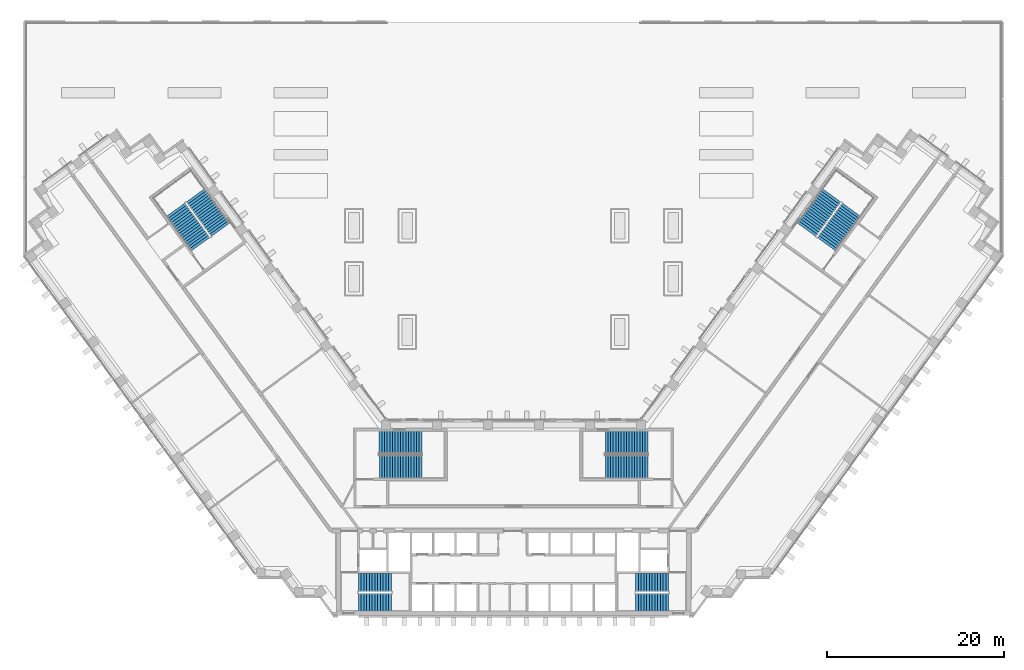
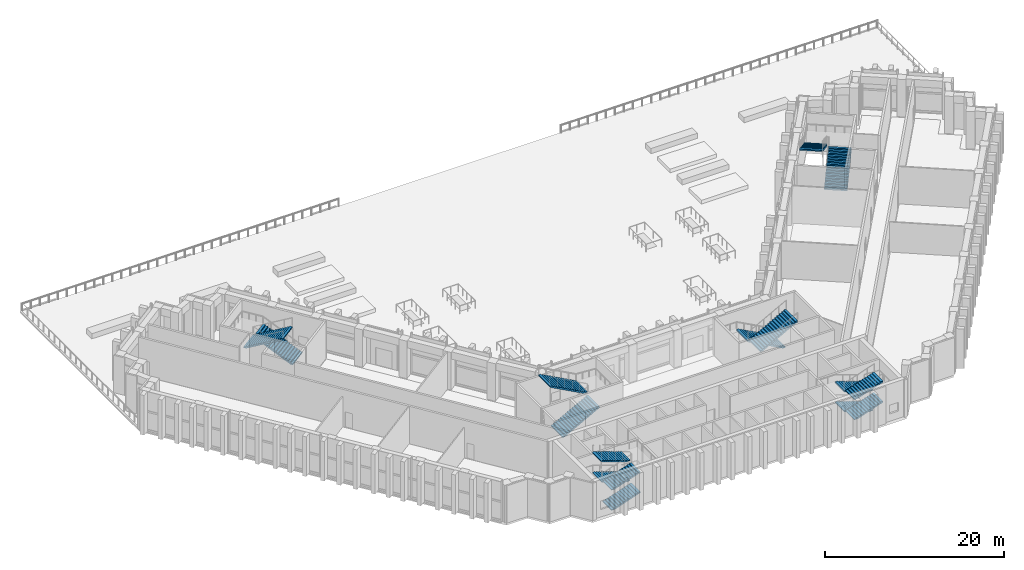
# One storey, part 20 of 25: 16 stair flights, 6 elements without a shape of their own.
"""IFC4 building model written with IfcOpenShell, lengths in metres."""

from ifc_helpers import new_model, si_unit, direction, frame, origin, place, context, subcontext, project, spatial, polyline, outline, extrude, material, type_object, element, aggregate, save


model = new_model("IFC4")

# Units and contexts
model_context = context("Model", 3, precision=1e-05, world=origin(), true_north=direction((0.0, 1.0)))
body_context = subcontext(model_context, "Body", "Model", "MODEL_VIEW")
ifc_project = project(units=[si_unit("LENGTHUNIT", "METRE"), si_unit("AREAUNIT", "SQUARE_METRE"), si_unit("VOLUMEUNIT", "CUBIC_METRE"), si_unit("PLANEANGLEUNIT", "RADIAN"), si_unit("MASSUNIT", "GRAM", prefix="KILO")], contexts=[model_context])

# Site, building, storey
site_placement = place(None, origin())
site = spatial("IfcSite", under=ifc_project, at=site_placement, CompositionType="ELEMENT")
building_placement = place(site_placement, origin())
building = spatial("IfcBuilding", under=site, at=building_placement, Name="Quipu Civic Tower", CompositionType="ELEMENT")
storey_placement = place(building_placement, frame((0.0, 0.0, 6.0)))
storey = spatial("IfcBuildingStorey", under=building, at=storey_placement, Name="L01", CompositionType="ELEMENT", Elevation=6.0)

# Stair, stair flights
ifc_material_1 = material(Name="Concrete C40/50", Category="concrete")
stair_type_1 = type_object("IfcStairType", Name="Half turn stair 2000", PredefinedType="HALF_TURN_STAIR", material=ifc_material_1)
stair_1_placement = place(storey_placement, origin())
stair_1 = element("IfcStair", 1, at=stair_1_placement, inside=storey, type_object=stair_type_1, Name="Exit stair 1", PredefinedType="HALF_TURN_STAIR")
ifc_material_2 = material(Name="Concrete C40/50", Category="concrete")
stair_flight_type_1 = type_object("IfcStairFlightType", Name="Stair flight 2000", PredefinedType="STRAIGHT", material=ifc_material_2)
stair_flight_1_placement = place(storey_placement, frame((-17.5, -9.5, 0.0), z_axis=(0.0, 0.0, 1.0), x_axis=(1.0, 0.0, 0.0)))
stair_flight_1 = element("IfcStairFlight", 2, at=stair_flight_1_placement, type_object=stair_flight_type_1, Name="ST-1 flight 1", NumberOfRisers=13, NumberOfTreads=12, PredefinedType="STRAIGHT", RiserHeight=0.105769231, TreadLength=0.31, context=body_context, shape_type="SweptSolid", body=[
    extrude(outline(polyline([(0.0, 0.0), (0.0, 0.105712890625), (0.31005859375, 0.105712890625), (0.31005859375, 0.21142578125), (0.6201171875, 0.21142578125), (0.6201171875, 0.3173828125), (0.929931640625, 0.3173828125), (0.929931640625, 0.423095703125), (1.239990234375, 0.423095703125), (1.239990234375, 0.52880859375), (1.550048828125, 0.52880859375), (1.550048828125, 0.634521484375), (1.860107421875, 0.634521484375), (1.860107421875, 0.740478515625), (2.169921875, 0.740478515625), (2.169921875, 0.84619140625), (2.47998046875, 0.84619140625), (2.47998046875, 0.951904296875), (2.7900390625, 0.951904296875), (2.7900390625, 1.0576171875), (3.10009765625, 1.0576171875), (3.10009765625, 1.16357421875), (3.409912109375, 1.16357421875), (3.409912109375, 1.269287109375), (3.719970703125, 1.269287109375), (3.719970703125, 1.375), (3.719970703125, 1.11083984375), (0.464111328125, 0.0), (0.0, 0.0)])), frame((0.0, 1.0, 0.0), z_axis=(0.0, -1.0, 0.0), x_axis=(1.0, 0.0, 0.0)), (0.0, 0.0, 1.0), 2.0),
])
stair_flight_2_placement = place(storey_placement, frame((-13.780029296875, -7.25, 1.375), z_axis=(0.0, 0.0, 1.0), x_axis=(-1.0, 0.0, 0.0)))
stair_flight_2 = element("IfcStairFlight", 3, at=stair_flight_2_placement, type_object=stair_flight_type_1, Name="ST-1 flight 2", NumberOfRisers=13, NumberOfTreads=12, PredefinedType="STRAIGHT", RiserHeight=0.105769231, TreadLength=0.31, context=body_context, shape_type="SweptSolid", body=[
    extrude(outline(polyline([(0.0, 0.0), (0.0, 0.105712890625), (0.31005859375, 0.105712890625), (0.31005859375, 0.21142578125), (0.6201171875, 0.21142578125), (0.6201171875, 0.3173828125), (0.929931640625, 0.3173828125), (0.929931640625, 0.423095703125), (1.239990234375, 0.423095703125), (1.239990234375, 0.52880859375), (1.550048828125, 0.52880859375), (1.550048828125, 0.634521484375), (1.860107421875, 0.634521484375), (1.860107421875, 0.740478515625), (2.169921875, 0.740478515625), (2.169921875, 0.84619140625), (2.47998046875, 0.84619140625), (2.47998046875, 0.951904296875), (2.7900390625, 0.951904296875), (2.7900390625, 1.0576171875), (3.10009765625, 1.0576171875), (3.10009765625, 1.16357421875), (3.409912109375, 1.16357421875), (3.409912109375, 1.269287109375), (3.719970703125, 1.269287109375), (3.719970703125, 1.375), (3.719970703125, 1.11083984375), (0.464111328125, 0.0), (0.0, 0.0)])), frame((0.0, 1.0, 0.0), z_axis=(0.0, -1.0, 0.0), x_axis=(1.0, 0.0, 0.0)), (0.0, 0.0, 1.0), 2.0),
])
stair_flight_3_placement = place(storey_placement, frame((-17.5, -9.5, 2.75), z_axis=(0.0, 0.0, 1.0), x_axis=(1.0, 0.0, 0.0)))
stair_flight_3 = element("IfcStairFlight", 4, at=stair_flight_3_placement, type_object=stair_flight_type_1, Name="ST-1 flight 3", NumberOfRisers=13, NumberOfTreads=12, PredefinedType="STRAIGHT", RiserHeight=0.105769231, TreadLength=0.31, context=body_context, shape_type="SweptSolid", body=[
    extrude(outline(polyline([(0.0, 0.0), (0.0, 0.105712890625), (0.31005859375, 0.105712890625), (0.31005859375, 0.21142578125), (0.6201171875, 0.21142578125), (0.6201171875, 0.3173828125), (0.929931640625, 0.3173828125), (0.929931640625, 0.423095703125), (1.239990234375, 0.423095703125), (1.239990234375, 0.52880859375), (1.550048828125, 0.52880859375), (1.550048828125, 0.634521484375), (1.860107421875, 0.634521484375), (1.860107421875, 0.740478515625), (2.169921875, 0.740478515625), (2.169921875, 0.84619140625), (2.47998046875, 0.84619140625), (2.47998046875, 0.951904296875), (2.7900390625, 0.951904296875), (2.7900390625, 1.0576171875), (3.10009765625, 1.0576171875), (3.10009765625, 1.16357421875), (3.409912109375, 1.16357421875), (3.409912109375, 1.269287109375), (3.719970703125, 1.269287109375), (3.719970703125, 1.375), (3.719970703125, 1.11083984375), (0.464111328125, 0.0), (0.0, 0.0)])), frame((0.0, 1.0, 0.0), z_axis=(0.0, -1.0, 0.0), x_axis=(1.0, 0.0, 0.0)), (0.0, 0.0, 1.0), 2.0),
])
stair_flight_4_placement = place(storey_placement, frame((-13.780029296875, -7.25, 4.125), z_axis=(0.0, 0.0, 1.0), x_axis=(-1.0, 0.0, 0.0)))
stair_flight_4 = element("IfcStairFlight", 5, at=stair_flight_4_placement, type_object=stair_flight_type_1, Name="ST-1 flight 4", NumberOfRisers=13, NumberOfTreads=12, PredefinedType="STRAIGHT", RiserHeight=0.105769231, TreadLength=0.31, context=body_context, shape_type="SweptSolid", body=[
    extrude(outline(polyline([(0.0, 0.0), (0.0, 0.105712890625), (0.31005859375, 0.105712890625), (0.31005859375, 0.21142578125), (0.6201171875, 0.21142578125), (0.6201171875, 0.3173828125), (0.929931640625, 0.3173828125), (0.929931640625, 0.423095703125), (1.239990234375, 0.423095703125), (1.239990234375, 0.52880859375), (1.550048828125, 0.52880859375), (1.550048828125, 0.634521484375), (1.860107421875, 0.634521484375), (1.860107421875, 0.740478515625), (2.169921875, 0.740478515625), (2.169921875, 0.84619140625), (2.47998046875, 0.84619140625), (2.47998046875, 0.951904296875), (2.7900390625, 0.951904296875), (2.7900390625, 1.0576171875), (3.10009765625, 1.0576171875), (3.10009765625, 1.16357421875), (3.409912109375, 1.16357421875), (3.409912109375, 1.269287109375), (3.719970703125, 1.269287109375), (3.719970703125, 1.375), (3.719970703125, 1.11083984375), (0.464111328125, 0.0), (0.0, 0.0)])), frame((0.0, 1.0, 0.0), z_axis=(0.0, -1.0, 0.0), x_axis=(1.0, 0.0, 0.0)), (0.0, 0.0, 1.0), 2.0),
])
aggregate(stair_1, [stair_flight_1, stair_flight_2, stair_flight_3, stair_flight_4])

stair_2_placement = place(storey_placement, origin())
stair_2 = element("IfcStair", 6, at=stair_2_placement, inside=storey, type_object=stair_type_1, Name="Exit stair 2", PredefinedType="HALF_TURN_STAIR")
stair_flight_5_placement = place(storey_placement, frame((17.5, -7.25, 0.0), z_axis=(0.0, 0.0, 1.0), x_axis=(-1.0, 0.0, 0.0)))
stair_flight_5 = element("IfcStairFlight", 7, at=stair_flight_5_placement, type_object=stair_flight_type_1, Name="ST-2 flight 1", NumberOfRisers=13, NumberOfTreads=12, PredefinedType="STRAIGHT", RiserHeight=0.105769231, TreadLength=0.31, context=body_context, shape_type="SweptSolid", body=[
    extrude(outline(polyline([(0.0, 0.0), (0.0, 0.105712890625), (0.31005859375, 0.105712890625), (0.31005859375, 0.21142578125), (0.6201171875, 0.21142578125), (0.6201171875, 0.3173828125), (0.929931640625, 0.3173828125), (0.929931640625, 0.423095703125), (1.239990234375, 0.423095703125), (1.239990234375, 0.52880859375), (1.550048828125, 0.52880859375), (1.550048828125, 0.634521484375), (1.860107421875, 0.634521484375), (1.860107421875, 0.740478515625), (2.169921875, 0.740478515625), (2.169921875, 0.84619140625), (2.47998046875, 0.84619140625), (2.47998046875, 0.951904296875), (2.7900390625, 0.951904296875), (2.7900390625, 1.0576171875), (3.10009765625, 1.0576171875), (3.10009765625, 1.16357421875), (3.409912109375, 1.16357421875), (3.409912109375, 1.269287109375), (3.719970703125, 1.269287109375), (3.719970703125, 1.375), (3.719970703125, 1.11083984375), (0.464111328125, 0.0), (0.0, 0.0)])), frame((0.0, 1.0, 0.0), z_axis=(0.0, -1.0, 0.0), x_axis=(1.0, 0.0, 0.0)), (0.0, 0.0, 1.0), 2.0),
])
stair_flight_6_placement = place(storey_placement, frame((13.780029296875, -9.5, 1.375), z_axis=(0.0, 0.0, 1.0), x_axis=(1.0, 0.0, 0.0)))
stair_flight_6 = element("IfcStairFlight", 8, at=stair_flight_6_placement, type_object=stair_flight_type_1, Name="ST-2 flight 2", NumberOfRisers=13, NumberOfTreads=12, PredefinedType="STRAIGHT", RiserHeight=0.105769231, TreadLength=0.31, context=body_context, shape_type="SweptSolid", body=[
    extrude(outline(polyline([(0.0, 0.0), (0.0, 0.105712890625), (0.31005859375, 0.105712890625), (0.31005859375, 0.21142578125), (0.6201171875, 0.21142578125), (0.6201171875, 0.3173828125), (0.929931640625, 0.3173828125), (0.929931640625, 0.423095703125), (1.239990234375, 0.423095703125), (1.239990234375, 0.52880859375), (1.550048828125, 0.52880859375), (1.550048828125, 0.634521484375), (1.860107421875, 0.634521484375), (1.860107421875, 0.740478515625), (2.169921875, 0.740478515625), (2.169921875, 0.84619140625), (2.47998046875, 0.84619140625), (2.47998046875, 0.951904296875), (2.7900390625, 0.951904296875), (2.7900390625, 1.0576171875), (3.10009765625, 1.0576171875), (3.10009765625, 1.16357421875), (3.409912109375, 1.16357421875), (3.409912109375, 1.269287109375), (3.719970703125, 1.269287109375), (3.719970703125, 1.375), (3.719970703125, 1.11083984375), (0.464111328125, 0.0), (0.0, 0.0)])), frame((0.0, 1.0, 0.0), z_axis=(0.0, -1.0, 0.0), x_axis=(1.0, 0.0, 0.0)), (0.0, 0.0, 1.0), 2.0),
])
stair_flight_7_placement = place(storey_placement, frame((17.5, -7.25, 2.75), z_axis=(0.0, 0.0, 1.0), x_axis=(-1.0, 0.0, 0.0)))
stair_flight_7 = element("IfcStairFlight", 9, at=stair_flight_7_placement, type_object=stair_flight_type_1, Name="ST-2 flight 3", NumberOfRisers=13, NumberOfTreads=12, PredefinedType="STRAIGHT", RiserHeight=0.105769231, TreadLength=0.31, context=body_context, shape_type="SweptSolid", body=[
    extrude(outline(polyline([(0.0, 0.0), (0.0, 0.105712890625), (0.31005859375, 0.105712890625), (0.31005859375, 0.21142578125), (0.6201171875, 0.21142578125), (0.6201171875, 0.3173828125), (0.929931640625, 0.3173828125), (0.929931640625, 0.423095703125), (1.239990234375, 0.423095703125), (1.239990234375, 0.52880859375), (1.550048828125, 0.52880859375), (1.550048828125, 0.634521484375), (1.860107421875, 0.634521484375), (1.860107421875, 0.740478515625), (2.169921875, 0.740478515625), (2.169921875, 0.84619140625), (2.47998046875, 0.84619140625), (2.47998046875, 0.951904296875), (2.7900390625, 0.951904296875), (2.7900390625, 1.0576171875), (3.10009765625, 1.0576171875), (3.10009765625, 1.16357421875), (3.409912109375, 1.16357421875), (3.409912109375, 1.269287109375), (3.719970703125, 1.269287109375), (3.719970703125, 1.375), (3.719970703125, 1.11083984375), (0.464111328125, 0.0), (0.0, 0.0)])), frame((0.0, 1.0, 0.0), z_axis=(0.0, -1.0, 0.0), x_axis=(1.0, 0.0, 0.0)), (0.0, 0.0, 1.0), 2.0),
])
stair_flight_8_placement = place(storey_placement, frame((13.780029296875, -9.5, 4.125), z_axis=(0.0, 0.0, 1.0), x_axis=(1.0, 0.0, 0.0)))
stair_flight_8 = element("IfcStairFlight", 10, at=stair_flight_8_placement, type_object=stair_flight_type_1, Name="ST-2 flight 4", NumberOfRisers=13, NumberOfTreads=12, PredefinedType="STRAIGHT", RiserHeight=0.105769231, TreadLength=0.31, context=body_context, shape_type="SweptSolid", body=[
    extrude(outline(polyline([(0.0, 0.0), (0.0, 0.105712890625), (0.31005859375, 0.105712890625), (0.31005859375, 0.21142578125), (0.6201171875, 0.21142578125), (0.6201171875, 0.3173828125), (0.929931640625, 0.3173828125), (0.929931640625, 0.423095703125), (1.239990234375, 0.423095703125), (1.239990234375, 0.52880859375), (1.550048828125, 0.52880859375), (1.550048828125, 0.634521484375), (1.860107421875, 0.634521484375), (1.860107421875, 0.740478515625), (2.169921875, 0.740478515625), (2.169921875, 0.84619140625), (2.47998046875, 0.84619140625), (2.47998046875, 0.951904296875), (2.7900390625, 0.951904296875), (2.7900390625, 1.0576171875), (3.10009765625, 1.0576171875), (3.10009765625, 1.16357421875), (3.409912109375, 1.16357421875), (3.409912109375, 1.269287109375), (3.719970703125, 1.269287109375), (3.719970703125, 1.375), (3.719970703125, 1.11083984375), (0.464111328125, 0.0), (0.0, 0.0)])), frame((0.0, 1.0, 0.0), z_axis=(0.0, -1.0, 0.0), x_axis=(1.0, 0.0, 0.0)), (0.0, 0.0, 1.0), 2.0),
])
aggregate(stair_2, [stair_flight_5, stair_flight_6, stair_flight_7, stair_flight_8])

ifc_material_3 = material(Name="Concrete C40/50", Category="concrete")
stair_type_2 = type_object("IfcStairType", Name="Half turn stair 2600", PredefinedType="HALF_TURN_STAIR", material=ifc_material_3)
stair_3_placement = place(storey_placement, origin())
stair_3 = element("IfcStair", 11, at=stair_3_placement, inside=storey, type_object=stair_type_2, Name="Exit stair 3", PredefinedType="HALF_TURN_STAIR")
ifc_material_4 = material(Name="Concrete C40/50", Category="concrete")
stair_flight_type_2 = type_object("IfcStairFlightType", Name="Stair flight 2600", PredefinedType="STRAIGHT", material=ifc_material_4)
stair_flight_9_placement = place(storey_placement, frame((-15.14990234375, 5.800048828125, 0.0), z_axis=(0.0, 0.0, 1.0), x_axis=(1.0, 0.0, 0.0)))
stair_flight_9 = element("IfcStairFlight", 12, at=stair_flight_9_placement, type_object=stair_flight_type_2, Name="ST-3 flight 1", NumberOfRisers=17, NumberOfTreads=16, PredefinedType="STRAIGHT", RiserHeight=0.161764706, TreadLength=0.3, context=body_context, shape_type="SweptSolid", body=[
    extrude(outline(polyline([(0.0, 0.0), (0.0, 0.161865234375), (0.300048828125, 0.161865234375), (0.300048828125, 0.323486328125), (0.60009765625, 0.323486328125), (0.60009765625, 0.4853515625), (0.89990234375, 0.4853515625), (0.89990234375, 0.64697265625), (1.199951171875, 0.64697265625), (1.199951171875, 0.808837890625), (1.5, 0.808837890625), (1.5, 0.970703125), (1.800048828125, 0.970703125), (1.800048828125, 1.13232421875), (2.10009765625, 1.13232421875), (2.10009765625, 1.294189453125), (2.39990234375, 1.294189453125), (2.39990234375, 1.455810546875), (2.699951171875, 1.455810546875), (2.699951171875, 1.61767578125), (3.0, 1.61767578125), (3.0, 1.779296875), (3.300048828125, 1.779296875), (3.300048828125, 1.941162109375), (3.60009765625, 1.941162109375), (3.60009765625, 2.10302734375), (3.89990234375, 2.10302734375), (3.89990234375, 2.2646484375), (4.199951171875, 2.2646484375), (4.199951171875, 2.426513671875), (4.5, 2.426513671875), (4.5, 2.588134765625), (4.800048828125, 2.588134765625), (4.800048828125, 2.75), (4.800048828125, 2.41796875), (0.31591796875, 0.0), (0.0, 0.0)])), frame((0.0, 1.300048828125, 0.0), z_axis=(0.0, -1.0, 0.0), x_axis=(1.0, 0.0, 0.0)), (0.0, 0.0, 1.0), 2.60009765625),
])
stair_flight_10_placement = place(storey_placement, frame((-10.35009765625, 8.550048828125, 2.75), z_axis=(0.0, 0.0, 1.0), x_axis=(-1.0, 0.0, 0.0)))
stair_flight_10 = element("IfcStairFlight", 13, at=stair_flight_10_placement, type_object=stair_flight_type_2, Name="ST-3 flight 2", NumberOfRisers=17, NumberOfTreads=16, PredefinedType="STRAIGHT", RiserHeight=0.161764706, TreadLength=0.3, context=body_context, shape_type="SweptSolid", body=[
    extrude(outline(polyline([(0.0, 0.0), (0.0, 0.161865234375), (0.300048828125, 0.161865234375), (0.300048828125, 0.323486328125), (0.60009765625, 0.323486328125), (0.60009765625, 0.4853515625), (0.89990234375, 0.4853515625), (0.89990234375, 0.64697265625), (1.199951171875, 0.64697265625), (1.199951171875, 0.808837890625), (1.5, 0.808837890625), (1.5, 0.970703125), (1.800048828125, 0.970703125), (1.800048828125, 1.13232421875), (2.10009765625, 1.13232421875), (2.10009765625, 1.294189453125), (2.39990234375, 1.294189453125), (2.39990234375, 1.455810546875), (2.699951171875, 1.455810546875), (2.699951171875, 1.61767578125), (3.0, 1.61767578125), (3.0, 1.779296875), (3.300048828125, 1.779296875), (3.300048828125, 1.941162109375), (3.60009765625, 1.941162109375), (3.60009765625, 2.10302734375), (3.89990234375, 2.10302734375), (3.89990234375, 2.2646484375), (4.199951171875, 2.2646484375), (4.199951171875, 2.426513671875), (4.5, 2.426513671875), (4.5, 2.588134765625), (4.800048828125, 2.588134765625), (4.800048828125, 2.75), (4.800048828125, 2.41796875), (0.31591796875, 0.0), (0.0, 0.0)])), frame((0.0, 1.300048828125, 0.0), z_axis=(0.0, -1.0, 0.0), x_axis=(1.0, 0.0, 0.0)), (0.0, 0.0, 1.0), 2.60009765625),
])
aggregate(stair_3, [stair_flight_9, stair_flight_10])

stair_4_placement = place(storey_placement, origin())
stair_4 = element("IfcStair", 14, at=stair_4_placement, inside=storey, type_object=stair_type_2, Name="Exit stair 4", PredefinedType="HALF_TURN_STAIR")
stair_flight_11_placement = place(storey_placement, frame((15.14990234375, 8.550048828125, 0.0), z_axis=(0.0, 0.0, 1.0), x_axis=(-1.0, 0.0, 0.0)))
stair_flight_11 = element("IfcStairFlight", 15, at=stair_flight_11_placement, type_object=stair_flight_type_2, Name="ST-4 flight 1", NumberOfRisers=17, NumberOfTreads=16, PredefinedType="STRAIGHT", RiserHeight=0.161764706, TreadLength=0.3, context=body_context, shape_type="SweptSolid", body=[
    extrude(outline(polyline([(0.0, 0.0), (0.0, 0.161865234375), (0.300048828125, 0.161865234375), (0.300048828125, 0.323486328125), (0.60009765625, 0.323486328125), (0.60009765625, 0.4853515625), (0.89990234375, 0.4853515625), (0.89990234375, 0.64697265625), (1.199951171875, 0.64697265625), (1.199951171875, 0.808837890625), (1.5, 0.808837890625), (1.5, 0.970703125), (1.800048828125, 0.970703125), (1.800048828125, 1.13232421875), (2.10009765625, 1.13232421875), (2.10009765625, 1.294189453125), (2.39990234375, 1.294189453125), (2.39990234375, 1.455810546875), (2.699951171875, 1.455810546875), (2.699951171875, 1.61767578125), (3.0, 1.61767578125), (3.0, 1.779296875), (3.300048828125, 1.779296875), (3.300048828125, 1.941162109375), (3.60009765625, 1.941162109375), (3.60009765625, 2.10302734375), (3.89990234375, 2.10302734375), (3.89990234375, 2.2646484375), (4.199951171875, 2.2646484375), (4.199951171875, 2.426513671875), (4.5, 2.426513671875), (4.5, 2.588134765625), (4.800048828125, 2.588134765625), (4.800048828125, 2.75), (4.800048828125, 2.41796875), (0.31591796875, 0.0), (0.0, 0.0)])), frame((0.0, 1.300048828125, 0.0), z_axis=(0.0, -1.0, 0.0), x_axis=(1.0, 0.0, 0.0)), (0.0, 0.0, 1.0), 2.60009765625),
])
stair_flight_12_placement = place(storey_placement, frame((10.35009765625, 5.800048828125, 2.75), z_axis=(0.0, 0.0, 1.0), x_axis=(1.0, 0.0, 0.0)))
stair_flight_12 = element("IfcStairFlight", 16, at=stair_flight_12_placement, type_object=stair_flight_type_2, Name="ST-4 flight 2", NumberOfRisers=17, NumberOfTreads=16, PredefinedType="STRAIGHT", RiserHeight=0.161764706, TreadLength=0.3, context=body_context, shape_type="SweptSolid", body=[
    extrude(outline(polyline([(0.0, 0.0), (0.0, 0.161865234375), (0.300048828125, 0.161865234375), (0.300048828125, 0.323486328125), (0.60009765625, 0.323486328125), (0.60009765625, 0.4853515625), (0.89990234375, 0.4853515625), (0.89990234375, 0.64697265625), (1.199951171875, 0.64697265625), (1.199951171875, 0.808837890625), (1.5, 0.808837890625), (1.5, 0.970703125), (1.800048828125, 0.970703125), (1.800048828125, 1.13232421875), (2.10009765625, 1.13232421875), (2.10009765625, 1.294189453125), (2.39990234375, 1.294189453125), (2.39990234375, 1.455810546875), (2.699951171875, 1.455810546875), (2.699951171875, 1.61767578125), (3.0, 1.61767578125), (3.0, 1.779296875), (3.300048828125, 1.779296875), (3.300048828125, 1.941162109375), (3.60009765625, 1.941162109375), (3.60009765625, 2.10302734375), (3.89990234375, 2.10302734375), (3.89990234375, 2.2646484375), (4.199951171875, 2.2646484375), (4.199951171875, 2.426513671875), (4.5, 2.426513671875), (4.5, 2.588134765625), (4.800048828125, 2.588134765625), (4.800048828125, 2.75), (4.800048828125, 2.41796875), (0.31591796875, 0.0), (0.0, 0.0)])), frame((0.0, 1.300048828125, 0.0), z_axis=(0.0, -1.0, 0.0), x_axis=(1.0, 0.0, 0.0)), (0.0, 0.0, 1.0), 2.60009765625),
])
aggregate(stair_4, [stair_flight_11, stair_flight_12])

stair_5_placement = place(storey_placement, origin())
stair_5 = element("IfcStair", 17, at=stair_5_placement, inside=storey, type_object=stair_type_2, Name="Exit stair 6", PredefinedType="HALF_TURN_STAIR")
stair_flight_13_placement = place(storey_placement, frame((-33.067626953125, 32.5322265625, 0.0), z_axis=(0.0, 0.0, 1.0), x_axis=(-0.587785252292, 0.809016994375, 0.0)))
stair_flight_13 = element("IfcStairFlight", 18, at=stair_flight_13_placement, type_object=stair_flight_type_2, Name="ST-6 flight 1", NumberOfRisers=17, NumberOfTreads=16, PredefinedType="STRAIGHT", RiserHeight=0.161764706, TreadLength=0.3, context=body_context, shape_type="SweptSolid", body=[
    extrude(outline(polyline([(0.0, 0.0), (0.0, 0.161865234375), (0.300048828125, 0.161865234375), (0.300048828125, 0.323486328125), (0.60009765625, 0.323486328125), (0.60009765625, 0.4853515625), (0.89990234375, 0.4853515625), (0.89990234375, 0.64697265625), (1.199951171875, 0.64697265625), (1.199951171875, 0.808837890625), (1.5, 0.808837890625), (1.5, 0.970703125), (1.800048828125, 0.970703125), (1.800048828125, 1.13232421875), (2.10009765625, 1.13232421875), (2.10009765625, 1.294189453125), (2.39990234375, 1.294189453125), (2.39990234375, 1.455810546875), (2.699951171875, 1.455810546875), (2.699951171875, 1.61767578125), (3.0, 1.61767578125), (3.0, 1.779296875), (3.300048828125, 1.779296875), (3.300048828125, 1.941162109375), (3.60009765625, 1.941162109375), (3.60009765625, 2.10302734375), (3.89990234375, 2.10302734375), (3.89990234375, 2.2646484375), (4.199951171875, 2.2646484375), (4.199951171875, 2.426513671875), (4.5, 2.426513671875), (4.5, 2.588134765625), (4.800048828125, 2.588134765625), (4.800048828125, 2.75), (4.800048828125, 2.41796875), (0.31591796875, 0.0), (0.0, 0.0)])), frame((0.0, 1.300048828125, 0.0), z_axis=(0.0, -1.0, 0.0), x_axis=(1.0, 0.0, 0.0)), (0.0, 0.0, 1.0), 2.60009765625),
])
stair_flight_14_placement = place(storey_placement, frame((-38.11376953125, 34.799072265625, 2.75), z_axis=(0.0, 0.0, 1.0), x_axis=(0.587785252292, -0.809016994375, 0.0)))
stair_flight_14 = element("IfcStairFlight", 19, at=stair_flight_14_placement, type_object=stair_flight_type_2, Name="ST-6 flight 2", NumberOfRisers=17, NumberOfTreads=16, PredefinedType="STRAIGHT", RiserHeight=0.161764706, TreadLength=0.3, context=body_context, shape_type="SweptSolid", body=[
    extrude(outline(polyline([(0.0, 0.0), (0.0, 0.161865234375), (0.300048828125, 0.161865234375), (0.300048828125, 0.323486328125), (0.60009765625, 0.323486328125), (0.60009765625, 0.4853515625), (0.89990234375, 0.4853515625), (0.89990234375, 0.64697265625), (1.199951171875, 0.64697265625), (1.199951171875, 0.808837890625), (1.5, 0.808837890625), (1.5, 0.970703125), (1.800048828125, 0.970703125), (1.800048828125, 1.13232421875), (2.10009765625, 1.13232421875), (2.10009765625, 1.294189453125), (2.39990234375, 1.294189453125), (2.39990234375, 1.455810546875), (2.699951171875, 1.455810546875), (2.699951171875, 1.61767578125), (3.0, 1.61767578125), (3.0, 1.779296875), (3.300048828125, 1.779296875), (3.300048828125, 1.941162109375), (3.60009765625, 1.941162109375), (3.60009765625, 2.10302734375), (3.89990234375, 2.10302734375), (3.89990234375, 2.2646484375), (4.199951171875, 2.2646484375), (4.199951171875, 2.426513671875), (4.5, 2.426513671875), (4.5, 2.588134765625), (4.800048828125, 2.588134765625), (4.800048828125, 2.75), (4.800048828125, 2.41796875), (0.31591796875, 0.0), (0.0, 0.0)])), frame((0.0, 1.300048828125, 0.0), z_axis=(0.0, -1.0, 0.0), x_axis=(1.0, 0.0, 0.0)), (0.0, 0.0, 1.0), 2.60009765625),
])
aggregate(stair_5, [stair_flight_13, stair_flight_14])

stair_6_placement = place(storey_placement, origin())
stair_6 = element("IfcStair", 20, at=stair_6_placement, inside=storey, type_object=stair_type_2, Name="Exit stair 7", PredefinedType="HALF_TURN_STAIR")
stair_flight_15_placement = place(storey_placement, frame((35.29248046875, 30.915771484375, 0.0), z_axis=(0.0, 0.0, 1.0), x_axis=(0.587785252292, 0.809016994375, 0.0)))
stair_flight_15 = element("IfcStairFlight", 21, at=stair_flight_15_placement, type_object=stair_flight_type_2, Name="ST-7 flight 1", NumberOfRisers=17, NumberOfTreads=16, PredefinedType="STRAIGHT", RiserHeight=0.161764706, TreadLength=0.3, context=body_context, shape_type="SweptSolid", body=[
    extrude(outline(polyline([(0.0, 0.0), (0.0, 0.161865234375), (0.300048828125, 0.161865234375), (0.300048828125, 0.323486328125), (0.60009765625, 0.323486328125), (0.60009765625, 0.4853515625), (0.89990234375, 0.4853515625), (0.89990234375, 0.64697265625), (1.199951171875, 0.64697265625), (1.199951171875, 0.808837890625), (1.5, 0.808837890625), (1.5, 0.970703125), (1.800048828125, 0.970703125), (1.800048828125, 1.13232421875), (2.10009765625, 1.13232421875), (2.10009765625, 1.294189453125), (2.39990234375, 1.294189453125), (2.39990234375, 1.455810546875), (2.699951171875, 1.455810546875), (2.699951171875, 1.61767578125), (3.0, 1.61767578125), (3.0, 1.779296875), (3.300048828125, 1.779296875), (3.300048828125, 1.941162109375), (3.60009765625, 1.941162109375), (3.60009765625, 2.10302734375), (3.89990234375, 2.10302734375), (3.89990234375, 2.2646484375), (4.199951171875, 2.2646484375), (4.199951171875, 2.426513671875), (4.5, 2.426513671875), (4.5, 2.588134765625), (4.800048828125, 2.588134765625), (4.800048828125, 2.75), (4.800048828125, 2.41796875), (0.31591796875, 0.0), (0.0, 0.0)])), frame((0.0, 1.300048828125, 0.0), z_axis=(0.0, -1.0, 0.0), x_axis=(1.0, 0.0, 0.0)), (0.0, 0.0, 1.0), 2.60009765625),
])
stair_flight_16_placement = place(storey_placement, frame((35.888916015625, 36.41552734375, 2.75), z_axis=(0.0, 0.0, 1.0), x_axis=(-0.587785252292, -0.809016994375, 0.0)))
stair_flight_16 = element("IfcStairFlight", 22, at=stair_flight_16_placement, type_object=stair_flight_type_2, Name="ST-7 flight 2", NumberOfRisers=17, NumberOfTreads=16, PredefinedType="STRAIGHT", RiserHeight=0.161764706, TreadLength=0.3, context=body_context, shape_type="SweptSolid", body=[
    extrude(outline(polyline([(0.0, 0.0), (0.0, 0.161865234375), (0.300048828125, 0.161865234375), (0.300048828125, 0.323486328125), (0.60009765625, 0.323486328125), (0.60009765625, 0.4853515625), (0.89990234375, 0.4853515625), (0.89990234375, 0.64697265625), (1.199951171875, 0.64697265625), (1.199951171875, 0.808837890625), (1.5, 0.808837890625), (1.5, 0.970703125), (1.800048828125, 0.970703125), (1.800048828125, 1.13232421875), (2.10009765625, 1.13232421875), (2.10009765625, 1.294189453125), (2.39990234375, 1.294189453125), (2.39990234375, 1.455810546875), (2.699951171875, 1.455810546875), (2.699951171875, 1.61767578125), (3.0, 1.61767578125), (3.0, 1.779296875), (3.300048828125, 1.779296875), (3.300048828125, 1.941162109375), (3.60009765625, 1.941162109375), (3.60009765625, 2.10302734375), (3.89990234375, 2.10302734375), (3.89990234375, 2.2646484375), (4.199951171875, 2.2646484375), (4.199951171875, 2.426513671875), (4.5, 2.426513671875), (4.5, 2.588134765625), (4.800048828125, 2.588134765625), (4.800048828125, 2.75), (4.800048828125, 2.41796875), (0.31591796875, 0.0), (0.0, 0.0)])), frame((0.0, 1.300048828125, 0.0), z_axis=(0.0, -1.0, 0.0), x_axis=(1.0, 0.0, 0.0)), (0.0, 0.0, 1.0), 2.60009765625),
])
aggregate(stair_6, [stair_flight_15, stair_flight_16])

save(model, "model.ifc")
